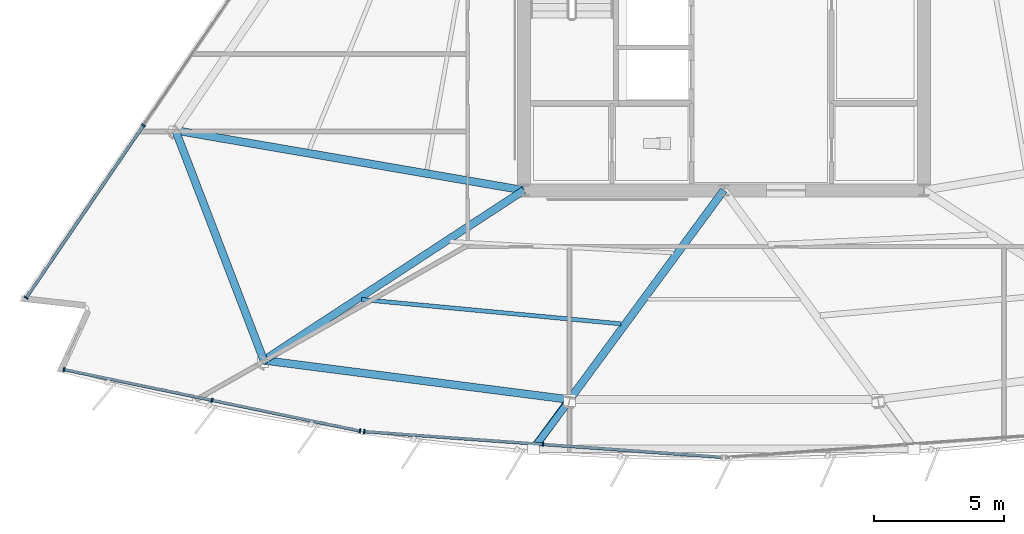
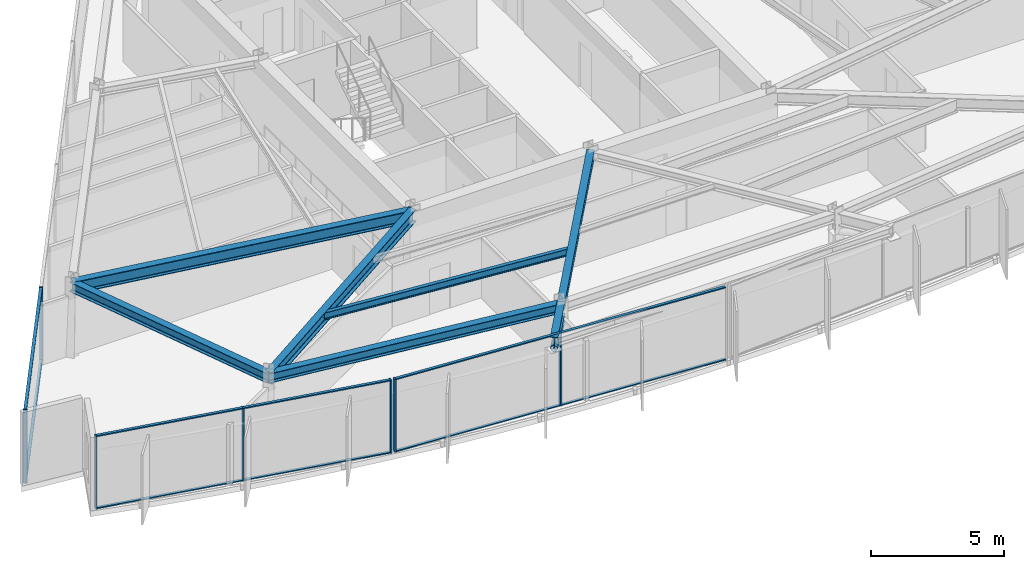
# One storey, part 2 of 16: 18 members, 7 beams, 3 elements without a shape of their own.
"""IFC4 building model written with IfcOpenShell, lengths in metres."""

import ifcopenshell
import ifcopenshell.guid

model = None  # the IFC model being written
_history = None  # IfcOwnerHistory: only IFC2X3 demands one
_inside = {}  # id of a spatial element -> (the spatial element, [elements in it])
_under = {}  # id of a project, library or spatial element -> (it, [spatial elements below it])
_declared = {}  # id of a project -> (the project, [libraries it declares])
_typed = {}  # id of a type object -> (the type object, [elements of that type])
_made_of = {}  # id of a material, layer set ... -> (it, [elements and type objects made of it])


def new_model(schema):
    """Start an empty IFC model of exactly this schema.

    Asked for "IFC4X3", IfcOpenShell would pick the latest addendum, in which some entities
    have other attributes; the version numbers below select the first issue.
    IFC2X3 requires an IfcOwnerHistory on every rooted entity: one is made here for all.
    """
    global model, _history
    if schema == "IFC4X3":
        model = ifcopenshell.file(schema_version=(4, 3, 0, 0))
    else:
        model = ifcopenshell.file(schema=schema)
    _inside.clear()
    _under.clear()
    _declared.clear()
    _typed.clear()
    _made_of.clear()
    _history = None
    if model.schema == "IFC2X3":
        org = make("IfcOrganization", Name="unknown")
        user = make(
            "IfcPersonAndOrganization",
            ThePerson=make("IfcPerson", FamilyName="unknown"),
            TheOrganization=org,
        )
        app = make(
            "IfcApplication",
            ApplicationDeveloper=org,
            Version="unknown",
            ApplicationFullName="unknown",
            ApplicationIdentifier="unknown",
        )
        _history = make(
            "IfcOwnerHistory",
            OwningUser=user,
            OwningApplication=app,
            ChangeAction="ADDED",
            CreationDate=0,
        )
    return model


def make(cls, **values):
    """One entity of the class cls with the attributes given. An attribute that is None is left unset."""
    return model.create_entity(
        cls, **{name: value for name, value in values.items() if value is not None}
    )


def rooted(cls, **values):
    """An entity with a GlobalId (a new one), such as an element, a storey or a relation."""
    return make(cls, GlobalId=ifcopenshell.guid.new(), OwnerHistory=_history, **values)


def si_unit(unit_type, name, prefix=None):
    """IfcSIUnit, for example si_unit("LENGTHUNIT", "METRE", prefix="MILLI")."""
    return make("IfcSIUnit", UnitType=unit_type, Prefix=prefix, Name=name)


def assignment(units):
    """IfcUnitAssignment: the units of a project."""
    return None if units is None else make("IfcUnitAssignment", Units=units)


def point(xyz):
    """IfcCartesianPoint."""
    return None if xyz is None else make("IfcCartesianPoint", Coordinates=xyz)


def direction(xyz):
    """IfcDirection."""
    return None if xyz is None else make("IfcDirection", DirectionRatios=xyz)


def frame(location, z_axis=None, x_axis=None):
    """IfcAxis2Placement3D, a coordinate frame: its origin and axes. An axis left out is left unset."""
    return make(
        "IfcAxis2Placement3D",
        Location=point(location),
        Axis=direction(z_axis),
        RefDirection=direction(x_axis),
    )


def frame_2d(location, x_axis=None):
    """IfcAxis2Placement2D, a coordinate frame in the plane: its origin and x axis."""
    return make(
        "IfcAxis2Placement2D", Location=point(location), RefDirection=direction(x_axis)
    )


def origin():
    """The frame at (0, 0, 0) with its axes left unset."""
    return frame((0.0, 0.0, 0.0))


def origin_2d():
    """The frame at (0, 0) in the plane with its x axis left unset."""
    return frame_2d((0.0, 0.0))


def place(relative_to, where):
    """IfcLocalPlacement: puts the frame where relative to a parent placement (None: the world)."""
    return make(
        "IfcLocalPlacement", PlacementRelTo=relative_to, RelativePlacement=where
    )


def context(
    kind, dimensions, precision=None, world=None, true_north=None, identifier=None
):
    """IfcGeometricRepresentationContext, for example the 3D "Model" context."""
    return make(
        "IfcGeometricRepresentationContext",
        ContextIdentifier=identifier,
        ContextType=kind,
        CoordinateSpaceDimension=dimensions,
        Precision=precision,
        WorldCoordinateSystem=world,
        TrueNorth=true_north,
    )


def subcontext(parent, identifier, kind, view, scale=None):
    """IfcGeometricRepresentationSubContext, for example "Body" below "Model"."""
    return make(
        "IfcGeometricRepresentationSubContext",
        ContextIdentifier=identifier,
        ContextType=kind,
        ParentContext=parent,
        TargetScale=scale,
        TargetView=view,
    )


def project(units=None, contexts=None):
    """IfcProject with its units and contexts."""
    return rooted(
        "IfcProject",
        Name="project",
        RepresentationContexts=contexts,
        UnitsInContext=assignment(units),
    )


def spatial(cls, under=None, at=None, **own):
    """A site, building, storey or space (cls), placed at a placement, below another one or the project."""
    s = rooted(cls, ObjectPlacement=at, **own)
    if under is not None:
        _under.setdefault(under.id(), (under, []))[1].append(s)
    return s


def profile(cls, at=None, kind="AREA", **sizes):
    """A parametric profile (cls). Its sizes go by their IFC names, for example OverallWidth=200.0."""
    return make(cls, ProfileType=kind, Position=at, **sizes)


def rectangle(**sizes):
    """IfcRectangleProfileDef."""
    return profile("IfcRectangleProfileDef", **sizes)


def hollow_circle(**sizes):
    """IfcCircleHollowProfileDef."""
    return profile("IfcCircleHollowProfileDef", **sizes)


def i_section(**sizes):
    """IfcIShapeProfileDef."""
    return profile("IfcIShapeProfileDef", **sizes)


def extrude(swept, where, along, depth):
    """IfcExtrudedAreaSolid: the profile swept, set in the frame where, extruded along a direction by depth."""
    return make(
        "IfcExtrudedAreaSolid",
        SweptArea=swept,
        Position=where,
        ExtrudedDirection=direction(along),
        Depth=depth,
    )


def shape(context_of_items, identifier, shape_type, items):
    """IfcShapeRepresentation: the items that make up one representation, for example the "Body"."""
    return make(
        "IfcShapeRepresentation",
        ContextOfItems=context_of_items,
        RepresentationIdentifier=identifier,
        RepresentationType=shape_type,
        Items=items,
    )


def material(Name=None, Category=None):
    """IfcMaterial."""
    return make("IfcMaterial", Name=Name, Category=Category)


def material_profile(
    of_material, cross_section, Name=None, Category=None, Priority=None
):
    """IfcMaterialProfile: a cross section and its material."""
    return make(
        "IfcMaterialProfile",
        Name=Name,
        Material=of_material,
        Profile=cross_section,
        Priority=Priority,
        Category=Category,
    )


def profile_set(profiles, Name=None, composite=None):
    """IfcMaterialProfileSet."""
    return make(
        "IfcMaterialProfileSet",
        Name=Name,
        MaterialProfiles=profiles,
        CompositeProfile=composite,
    )


def made_of(thing, what):
    """Note that an element or type object is made of a material, layer set ...; save() writes the relation."""
    if what is not None:
        _made_of.setdefault(what.id(), (what, []))[1].append(thing)
    return thing


def type_object(cls, material=None, **own):
    """A type object (cls), such as IfcWallType, which elements share."""
    return made_of(rooted(cls, **own), material)


def element(
    cls,
    number,
    at=None,
    inside=None,
    cuts=None,
    type_object=None,
    material=None,
    context=None,
    identifier="Body",
    shape_type=None,
    held_by="IfcProductDefinitionShape",
    body=None,
    shapes=None,
    **own,
):
    """One element of the class cls, such as IfcWall. Its Tag is "e" and its number.

    at: its placement. inside: the storey or other place that contains it. cuts: it is an
    opening in that element (IfcRelVoidsElement). A single representation is given by context,
    identifier, shape_type and body (its items); several are given by shapes. held_by: the class
    of the entity that holds the representations. save() writes the other relations.
    """
    e = rooted(cls, Tag="e%d" % number, ObjectPlacement=at, **own)
    if body is not None:
        shapes = [shape(context, identifier, shape_type, body)]
    if shapes is not None:
        e.Representation = make(held_by, Representations=shapes)
    if inside is not None:
        _inside.setdefault(inside.id(), (inside, []))[1].append(e)
    if cuts is not None:
        rooted(
            "IfcRelVoidsElement", RelatingBuildingElement=cuts, RelatedOpeningElement=e
        )
    if type_object is not None:
        _typed.setdefault(type_object.id(), (type_object, []))[1].append(e)
    return made_of(e, material)


def aggregate(whole, parts):
    """IfcRelAggregates: a whole, such as a stair, and the parts it consists of."""
    return rooted("IfcRelAggregates", RelatingObject=whole, RelatedObjects=parts)


def save(model, path):
    """Write the relations noted so far, then the file.

    IfcRelAggregates (storeys below a building ...), IfcRelContainedInSpatialStructure (elements
    in a storey), IfcRelDefinesByType, IfcRelAssociatesMaterial and IfcRelDeclares: one each for
    every whole, place, type object, material and project.
    """
    for whole, parts in _under.values():
        aggregate(whole, parts)
    for where, things in _inside.values():
        rooted(
            "IfcRelContainedInSpatialStructure",
            RelatedElements=things,
            RelatingStructure=where,
        )
    for kind, things in _typed.values():
        rooted("IfcRelDefinesByType", RelatedObjects=things, RelatingType=kind)
    for what, things in _made_of.values():
        rooted("IfcRelAssociatesMaterial", RelatedObjects=things, RelatingMaterial=what)
    for by, libraries in _declared.values():
        rooted("IfcRelDeclares", RelatingContext=by, RelatedDefinitions=libraries)
    model.write(path)


model = new_model("IFC4")

# Units and contexts
model_context = context("Model", 3, precision=1e-05, world=origin(), true_north=direction((0.0, 1.0)))
body_context = subcontext(model_context, "Body", "Model", "MODEL_VIEW")
ifc_project = project(units=[si_unit("LENGTHUNIT", "METRE"), si_unit("AREAUNIT", "SQUARE_METRE"), si_unit("VOLUMEUNIT", "CUBIC_METRE"), si_unit("PLANEANGLEUNIT", "RADIAN"), si_unit("MASSUNIT", "GRAM", prefix="KILO")], contexts=[model_context])

# Site, building, storey
site_placement = place(None, origin())
site = spatial("IfcSite", under=ifc_project, at=site_placement, CompositionType="ELEMENT")
building_placement = place(site_placement, origin())
building = spatial("IfcBuilding", under=site, at=building_placement, Name="Savorim Split Tower", CompositionType="ELEMENT")
storey_placement = place(building_placement, frame((0.0, 0.0, 156.60009765625)))
storey = spatial("IfcBuildingStorey", under=building, at=storey_placement, Name="L41", CompositionType="ELEMENT", Elevation=156.60009765625)

# Beams
ifc_material_1 = material(Name="Steel S355", Category="steel")
ifc_material_profile_1 = material_profile(ifc_material_1, i_section(OverallWidth=0.159912109375, OverallDepth=0.330078125, WebThickness=0.007568359375, FlangeThickness=0.011474609375, FilletRadius=0.01806640625, at=origin_2d()), Name="IPE 330")
ifc_profile_set_1 = profile_set([ifc_material_profile_1], Name="Steel S355")
beam_type_1 = type_object("IfcBeamType", Name="BM-JST-IPE330", PredefinedType="JOIST", material=ifc_profile_set_1)
beam_1_placement = place(storey_placement, frame((-13.947509765625, -13.60498046875, 3.184814453125), z_axis=(0.995624892896, -0.093440208933, 0.0), x_axis=(0.093440208933, 0.995624892896, 0.0)))
element("IfcBeam", 1, at=beam_1_placement, inside=storey, type_object=beam_type_1, Name="L41 Secondary Floor Joist JS-01", PredefinedType="JOIST", context=body_context, shape_type="SweptSolid", body=[
    extrude(i_section(OverallWidth=0.159912109375, OverallDepth=0.330078125, WebThickness=0.007568359375, FlangeThickness=0.011474609375, FilletRadius=0.01806640625, at=origin_2d()), origin(), (0.0, 0.0, 1.0), 10.033203125),
])
ifc_material_profile_2 = material_profile(ifc_material_1, i_section(OverallWidth=0.300048828125, OverallDepth=0.360107421875, WebThickness=0.012451171875, FlangeThickness=0.0224609375, FilletRadius=0.027099609375, at=origin_2d()), Name="HEB 360")
ifc_profile_set_2 = profile_set([ifc_material_profile_2], Name="Steel S355")
beam_type_2 = type_object("IfcBeamType", Name="BM-PRI-HEB360", PredefinedType="BEAM", material=ifc_profile_set_2)
beam_2_placement = place(storey_placement, frame((-5.935791015625, -17.45849609375, 3.169921875), z_axis=(0.593061737906, 0.805156987818, 0.0), x_axis=(-0.805156987818, 0.593061737906, 0.0)))
element("IfcBeam", 2, at=beam_2_placement, inside=storey, type_object=beam_type_2, Name="L41 Primary Floor Girder RG-02", PredefinedType="BEAM", context=body_context, shape_type="SweptSolid", body=[
    extrude(i_section(OverallWidth=0.300048828125, OverallDepth=0.360107421875, WebThickness=0.012451171875, FlangeThickness=0.0224609375, FilletRadius=0.027099609375, at=origin_2d()), origin(), (0.0, 0.0, 1.0), 10.0087890625),
])
ifc_material_profile_3 = material_profile(ifc_material_1, i_section(OverallWidth=0.300048828125, OverallDepth=0.550048828125, WebThickness=0.014892578125, FlangeThickness=0.029052734375, FilletRadius=0.027099609375, at=origin_2d()), Name="HEB 550")
ifc_profile_set_3 = profile_set([ifc_material_profile_3], Name="Steel S355")
beam_type_3 = type_object("IfcBeamType", Name="BM-PRI-HEB550", PredefinedType="BEAM", material=ifc_profile_set_3)
beam_3_placement = place(storey_placement, frame((-17.710693359375, -15.94677734375, 3.074951171875), z_axis=(0.836916394391, 0.547330749, 0.0), x_axis=(-0.547330749, 0.836916394391, 0.0)))
element("IfcBeam", 3, at=beam_3_placement, inside=storey, type_object=beam_type_3, Name="L41 Primary Floor Girder RG-01", PredefinedType="BEAM", context=body_context, shape_type="SweptSolid", body=[
    extrude(i_section(OverallWidth=0.300048828125, OverallDepth=0.550048828125, WebThickness=0.014892578125, FlangeThickness=0.029052734375, FilletRadius=0.027099609375, at=origin_2d()), origin(), (0.0, 0.0, 1.0), 11.96142578125),
])
beam_4_placement = place(storey_placement, frame((-21.1123046875, -7.091552734375, 3.074951171875), z_axis=(0.985510822788, -0.169612553096, 0.0), x_axis=(0.169612553096, 0.985510822788, 0.0)))
element("IfcBeam", 4, at=beam_4_placement, inside=storey, type_object=beam_type_3, Name="L41 Primary Floor Girder RG-10", PredefinedType="BEAM", context=body_context, shape_type="SweptSolid", body=[
    extrude(i_section(OverallWidth=0.300048828125, OverallDepth=0.550048828125, WebThickness=0.014892578125, FlangeThickness=0.029052734375, FilletRadius=0.027099609375, at=origin_2d()), origin(), (0.0, 0.0, 1.0), 13.609619140625),
])
beam_5_placement = place(storey_placement, frame((-5.935791015625, -17.45849609375, 3.074951171875), z_axis=(-0.593096264354, -0.805131555219, 0.0), x_axis=(0.805131555219, -0.593096264354, 0.0)))
element("IfcBeam", 5, at=beam_5_placement, inside=storey, type_object=beam_type_3, Name="L41 Cantilevered Lounge Rib 1", PredefinedType="BEAM", context=body_context, shape_type="SweptSolid", body=[
    extrude(i_section(OverallWidth=0.300048828125, OverallDepth=0.550048828125, WebThickness=0.014892578125, FlangeThickness=0.029052734375, FilletRadius=0.027099609375, at=origin_2d()), origin(), (0.0, 0.0, 1.0), 2.35009765625),
])
ifc_material_profile_4 = material_profile(ifc_material_1, i_section(OverallWidth=0.300048828125, OverallDepth=0.43994140625, WebThickness=0.011474609375, FlangeThickness=0.02099609375, FilletRadius=0.027099609375, at=origin_2d()), Name="HEA 450")
ifc_profile_set_4 = profile_set([ifc_material_profile_4], Name="Steel S355")
beam_type_4 = type_object("IfcBeamType", Name="BM-SPN-HEA450", PredefinedType="SPANDREL", material=ifc_profile_set_4)
beam_6_placement = place(storey_placement, frame((-17.710693359375, -15.94677734375, 3.1298828125), z_axis=(0.991859168479, -0.127339663513, 0.0), x_axis=(0.127339663513, 0.991859168479, 0.0)))
element("IfcBeam", 6, at=beam_6_placement, inside=storey, type_object=beam_type_4, Name="L41 Perimeter Spandrel Beam 1", PredefinedType="SPANDREL", context=body_context, shape_type="SweptSolid", body=[
    extrude(i_section(OverallWidth=0.300048828125, OverallDepth=0.43994140625, WebThickness=0.011474609375, FlangeThickness=0.02099609375, FilletRadius=0.027099609375, at=origin_2d()), origin(), (0.0, 0.0, 1.0), 11.87158203125),
])
beam_7_placement = place(storey_placement, frame((-21.1123046875, -7.091552734375, 3.1298828125), z_axis=(0.358589283104, -0.933495434398, 0.0), x_axis=(0.933495434398, 0.358589283104, 0.0)))
element("IfcBeam", 7, at=beam_7_placement, inside=storey, type_object=beam_type_4, Name="L41 Perimeter Spandrel Beam 10", PredefinedType="SPANDREL", context=body_context, shape_type="SweptSolid", body=[
    extrude(i_section(OverallWidth=0.300048828125, OverallDepth=0.43994140625, WebThickness=0.011474609375, FlangeThickness=0.02099609375, FilletRadius=0.027099609375, at=origin_2d()), origin(), (0.0, 0.0, 1.0), 9.486083984375),
])

# Curtain wall, members
ifc_material_2 = material(Name="Dark Ceramic-Fritted Insulated Glass", Category="glass")
curtain_wall_type = type_object("IfcCurtainWallType", Name="CW-TWR-FRIT-B", PredefinedType="NOTDEFINED", material=ifc_material_2)
curtain_wall_1_placement = place(storey_placement, origin())
curtain_wall_1 = element("IfcCurtainWall", 8, at=curtain_wall_1_placement, inside=storey, type_object=curtain_wall_type, Name="L41 Curtain Wall CW-L41-SF1", PredefinedType="NOTDEFINED")
ifc_material_3 = material(Name="Charcoal Anodised Aluminium", Category="aluminium")
ifc_material_profile_5 = material_profile(ifc_material_3, rectangle(XDim=0.159912109375, YDim=0.06005859375, at=origin_2d()), Name="ALU-M 160x60")
ifc_profile_set_5 = profile_set([ifc_material_profile_5], Name="Charcoal Anodised Aluminium")
member_type_1 = type_object("IfcMemberType", Name="CWM-160x60", PredefinedType="MULLION", material=ifc_profile_set_5)
member_1_placement = place(storey_placement, frame((-25.404541015625, -16.2998046875, 0.0), z_axis=(0.0, 0.0, 1.0), x_axis=(0.203209964912, 0.979135184824, 0.0)))
member_1 = element("IfcMember", 9, at=member_1_placement, type_object=member_type_1, Name="CW-03 mullion 1", PredefinedType="MULLION", context=body_context, shape_type="SweptSolid", body=[
    extrude(rectangle(XDim=0.159912109375, YDim=0.06005859375, at=origin_2d()), origin(), (0.0, 0.0, 1.0), 3.349853515625),
])
member_2_placement = place(storey_placement, frame((-19.70458984375, -17.482666015625, 0.0), z_axis=(0.0, 0.0, 1.0), x_axis=(0.203209964912, 0.979135184824, 0.0)))
member_2 = element("IfcMember", 10, at=member_2_placement, type_object=member_type_1, Name="CW-03 mullion 2", PredefinedType="MULLION", context=body_context, shape_type="SweptSolid", body=[
    extrude(rectangle(XDim=0.159912109375, YDim=0.06005859375, at=origin_2d()), origin(), (0.0, 0.0, 1.0), 3.349853515625),
])
member_3_placement = place(storey_placement, frame((-14.004638671875, -18.66552734375, 0.0), z_axis=(0.0, 0.0, 1.0), x_axis=(0.203209964912, 0.979135184824, 0.0)))
member_3 = element("IfcMember", 11, at=member_3_placement, type_object=member_type_1, Name="CW-03 mullion 3", PredefinedType="MULLION", context=body_context, shape_type="SweptSolid", body=[
    extrude(rectangle(XDim=0.159912109375, YDim=0.06005859375, at=origin_2d()), origin(), (0.0, 0.0, 1.0), 3.349853515625),
])

curtain_wall_2_placement = place(storey_placement, origin())
curtain_wall_2 = element("IfcCurtainWall", 12, at=curtain_wall_2_placement, inside=storey, type_object=curtain_wall_type, Name="L41 Curtain Wall CW-L41-SF2", PredefinedType="NOTDEFINED")
member_4_placement = place(storey_placement, frame((-13.842529296875, -18.688232421875, 0.0), z_axis=(0.0, 0.0, 1.0), x_axis=(0.071560918492, 0.997436231017, 0.0)))
member_4 = element("IfcMember", 13, at=member_4_placement, type_object=member_type_1, Name="CW-03 mullion 1", PredefinedType="MULLION", context=body_context, shape_type="SweptSolid", body=[
    extrude(rectangle(XDim=0.159912109375, YDim=0.06005859375, at=origin_2d()), origin(), (0.0, 0.0, 1.0), 3.349853515625),
])
member_5_placement = place(storey_placement, frame((-6.9619140625, -19.181884765625, 0.0), z_axis=(0.0, 0.0, 1.0), x_axis=(0.071560918492, 0.997436231017, 0.0)))
member_5 = element("IfcMember", 14, at=member_5_placement, type_object=member_type_1, Name="CW-03 mullion 2", PredefinedType="MULLION", context=body_context, shape_type="SweptSolid", body=[
    extrude(rectangle(XDim=0.159912109375, YDim=0.06005859375, at=origin_2d()), origin(), (0.0, 0.0, 1.0), 3.349853515625),
])

curtain_wall_3_placement = place(storey_placement, origin())
curtain_wall_3 = element("IfcCurtainWall", 15, at=curtain_wall_3_placement, inside=storey, type_object=curtain_wall_type, Name="L41 Curtain Wall CW-L41-WEST", PredefinedType="NOTDEFINED")
member_6_placement = place(storey_placement, frame((-22.343505859375, -6.900634765625, 0.0), z_axis=(0.0, 0.0, 1.0), x_axis=(0.826820104662, -0.562466456356, 0.0)))
member_6 = element("IfcMember", 16, at=member_6_placement, type_object=member_type_1, Name="CW-03 mullion 4", PredefinedType="MULLION", context=body_context, shape_type="SweptSolid", body=[
    extrude(rectangle(XDim=0.159912109375, YDim=0.06005859375, at=origin_2d()), origin(), (0.0, 0.0, 1.0), 3.349853515625),
])
member_7_placement = place(storey_placement, frame((-26.857666015625, -13.536376953125, 0.0), z_axis=(0.0, 0.0, 1.0), x_axis=(0.826820104662, -0.562466456356, 0.0)))
member_7 = element("IfcMember", 17, at=member_7_placement, type_object=member_type_1, Name="CW-03 mullion 5", PredefinedType="MULLION", context=body_context, shape_type="SweptSolid", body=[
    extrude(rectangle(XDim=0.159912109375, YDim=0.06005859375, at=origin_2d()), origin(), (0.0, 0.0, 1.0), 3.349853515625),
])

# Member
ifc_material_profile_6 = material_profile(ifc_material_3, rectangle(XDim=0.1201171875, YDim=0.050048828125, at=origin_2d()), Name="ALU-T 120x50")
ifc_profile_set_6 = profile_set([ifc_material_profile_6], Name="Charcoal Anodised Aluminium")
member_type_2 = type_object("IfcMemberType", Name="CWT-120x50", PredefinedType="USERDEFINED", material=ifc_profile_set_6)
member_8_placement = place(storey_placement, frame((-25.375, -16.305908203125, 0.02490234375), z_axis=(0.979138768987, -0.203192694421, 0.0), x_axis=(0.203192694421, 0.979138768987, 0.0)))
member_8 = element("IfcMember", 18, at=member_8_placement, type_object=member_type_2, Name="CW-03 transom 1.1", ObjectType="TRANSOM", PredefinedType="USERDEFINED", context=body_context, shape_type="SweptSolid", body=[
    extrude(rectangle(XDim=0.1201171875, YDim=0.050048828125, at=origin_2d()), origin(), (0.0, 0.0, 1.0), 5.76123046875),
])

member_9_placement = place(storey_placement, frame((-25.375, -16.305908203125, 3.324951171875), z_axis=(0.979138768987, -0.203192694421, 0.0), x_axis=(0.203192694421, 0.979138768987, 0.0)))
member_9 = element("IfcMember", 19, at=member_9_placement, type_object=member_type_2, Name="CW-03 transom 1.2", ObjectType="TRANSOM", PredefinedType="USERDEFINED", context=body_context, shape_type="SweptSolid", body=[
    extrude(rectangle(XDim=0.1201171875, YDim=0.050048828125, at=origin_2d()), origin(), (0.0, 0.0, 1.0), 5.76123046875),
])

member_10_placement = place(storey_placement, frame((-19.67529296875, -17.48876953125, 0.02490234375), z_axis=(0.979140518466, -0.203184263905, 0.0), x_axis=(0.203184263905, 0.979140518466, 0.0)))
member_10 = element("IfcMember", 20, at=member_10_placement, type_object=member_type_2, Name="CW-03 transom 2.1", ObjectType="TRANSOM", PredefinedType="USERDEFINED", context=body_context, shape_type="SweptSolid", body=[
    extrude(rectangle(XDim=0.1201171875, YDim=0.050048828125, at=origin_2d()), origin(), (0.0, 0.0, 1.0), 5.761474609375),
])

member_11_placement = place(storey_placement, frame((-19.67529296875, -17.48876953125, 3.324951171875), z_axis=(0.979140518466, -0.203184263905, 0.0), x_axis=(0.203184263905, 0.979140518466, 0.0)))
member_11 = element("IfcMember", 21, at=member_11_placement, type_object=member_type_2, Name="CW-03 transom 2.2", ObjectType="TRANSOM", PredefinedType="USERDEFINED", context=body_context, shape_type="SweptSolid", body=[
    extrude(rectangle(XDim=0.1201171875, YDim=0.050048828125, at=origin_2d()), origin(), (0.0, 0.0, 1.0), 5.761474609375),
])

aggregate(curtain_wall_1, [member_1, member_2, member_3, member_8, member_9, member_10, member_11])

member_12_placement = place(storey_placement, frame((-13.812744140625, -18.690185546875, 0.02490234375), z_axis=(0.99743472164, -0.0715819535, 0.0), x_axis=(0.0715819535, 0.99743472164, 0.0)))
member_12 = element("IfcMember", 22, at=member_12_placement, type_object=member_type_2, Name="CW-03 transom 1.1", ObjectType="TRANSOM", PredefinedType="USERDEFINED", context=body_context, shape_type="SweptSolid", body=[
    extrude(rectangle(XDim=0.1201171875, YDim=0.050048828125, at=origin_2d()), origin(), (0.0, 0.0, 1.0), 6.83837890625),
])

member_13_placement = place(storey_placement, frame((-13.812744140625, -18.690185546875, 3.324951171875), z_axis=(0.99743472164, -0.0715819535, 0.0), x_axis=(0.0715819535, 0.99743472164, 0.0)))
member_13 = element("IfcMember", 23, at=member_13_placement, type_object=member_type_2, Name="CW-03 transom 1.2", ObjectType="TRANSOM", PredefinedType="USERDEFINED", context=body_context, shape_type="SweptSolid", body=[
    extrude(rectangle(XDim=0.1201171875, YDim=0.050048828125, at=origin_2d()), origin(), (0.0, 0.0, 1.0), 6.83837890625),
])

member_14_placement = place(storey_placement, frame((-6.931884765625, -19.183837890625, 0.02490234375), z_axis=(0.99743472164, -0.0715819535, 0.0), x_axis=(0.0715819535, 0.99743472164, 0.0)))
member_14 = element("IfcMember", 24, at=member_14_placement, type_object=member_type_2, Name="CW-03 transom 2.1", ObjectType="TRANSOM", PredefinedType="USERDEFINED", context=body_context, shape_type="SweptSolid", body=[
    extrude(rectangle(XDim=0.1201171875, YDim=0.050048828125, at=origin_2d()), origin(), (0.0, 0.0, 1.0), 6.83837890625),
])

member_15_placement = place(storey_placement, frame((-6.931884765625, -19.183837890625, 3.324951171875), z_axis=(0.99743472164, -0.0715819535, 0.0), x_axis=(0.0715819535, 0.99743472164, 0.0)))
member_15 = element("IfcMember", 25, at=member_15_placement, type_object=member_type_2, Name="CW-03 transom 2.2", ObjectType="TRANSOM", PredefinedType="USERDEFINED", context=body_context, shape_type="SweptSolid", body=[
    extrude(rectangle(XDim=0.1201171875, YDim=0.050048828125, at=origin_2d()), origin(), (0.0, 0.0, 1.0), 6.83837890625),
])

aggregate(curtain_wall_2, [member_4, member_5, member_12, member_13, member_14, member_15])

member_16_placement = place(storey_placement, frame((-22.3603515625, -6.925537109375, 0.02490234375), z_axis=(-0.562484383904, -0.826807908685, 0.0), x_axis=(0.826807908685, -0.562484383904, 0.0)))
member_16 = element("IfcMember", 26, at=member_16_placement, type_object=member_type_2, Name="CW-03 transom 4.1", ObjectType="TRANSOM", PredefinedType="USERDEFINED", context=body_context, shape_type="SweptSolid", body=[
    extrude(rectangle(XDim=0.1201171875, YDim=0.050048828125, at=origin_2d()), origin(), (0.0, 0.0, 1.0), 7.965576171875),
])

member_17_placement = place(storey_placement, frame((-22.3603515625, -6.925537109375, 3.324951171875), z_axis=(-0.562484383904, -0.826807908685, 0.0), x_axis=(0.826807908685, -0.562484383904, 0.0)))
member_17 = element("IfcMember", 27, at=member_17_placement, type_object=member_type_2, Name="CW-03 transom 4.2", ObjectType="TRANSOM", PredefinedType="USERDEFINED", context=body_context, shape_type="SweptSolid", body=[
    extrude(rectangle(XDim=0.1201171875, YDim=0.050048828125, at=origin_2d()), origin(), (0.0, 0.0, 1.0), 7.965576171875),
])

aggregate(curtain_wall_3, [member_6, member_7, member_16, member_17])

ifc_material_profile_7 = material_profile(ifc_material_1, hollow_circle(Radius=0.136474609375, WallThickness=0.01611328125, at=origin_2d()), Name="CHS 273x16")
ifc_profile_set_7 = profile_set([ifc_material_profile_7], Name="Steel S355")
member_type_3 = type_object("IfcMemberType", Name="MBR-CRN-CHS273", PredefinedType="BRACE", material=ifc_profile_set_7)
member_18_placement = place(storey_placement, frame((-5.943603515625, -17.498779296875, 2.449951171875), z_axis=(-0.591688822943, -0.790551298577, 0.157901808483), x_axis=(0.800594906871, -0.599205970508, 0.0)))
element("IfcMember", 28, at=member_18_placement, inside=storey, type_object=member_type_3, Name="L41 Cantilevered Bay Support Strut 1", PredefinedType="BRACE", context=body_context, shape_type="SweptSolid", body=[
    extrude(hollow_circle(Radius=0.136474609375, WallThickness=0.01611328125, at=origin_2d()), origin(), (0.0, 0.0, 1.0), 2.342529296875),
])

save(model, "model.ifc")
